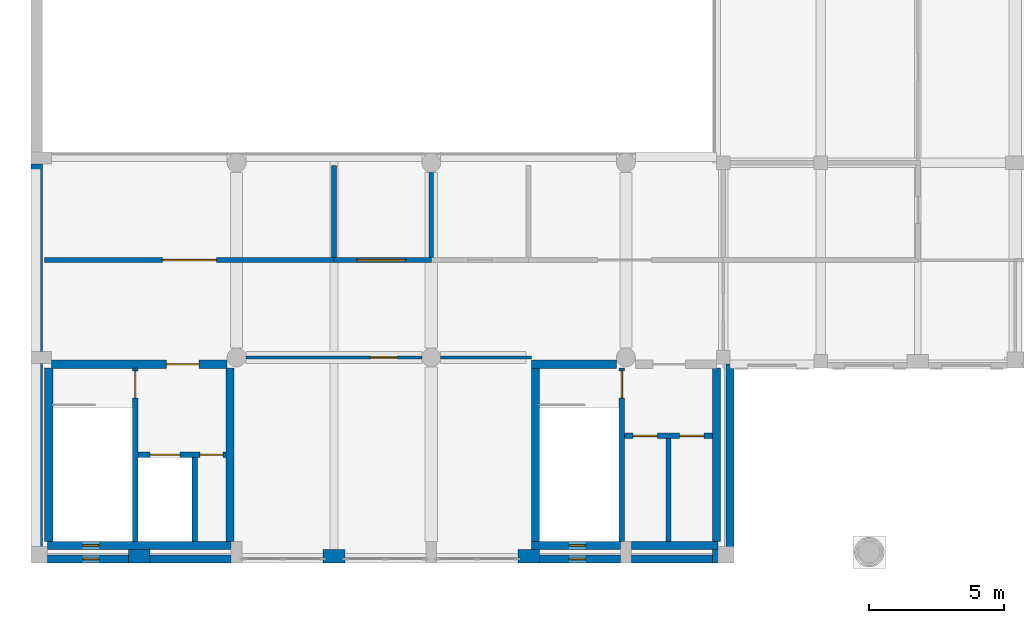
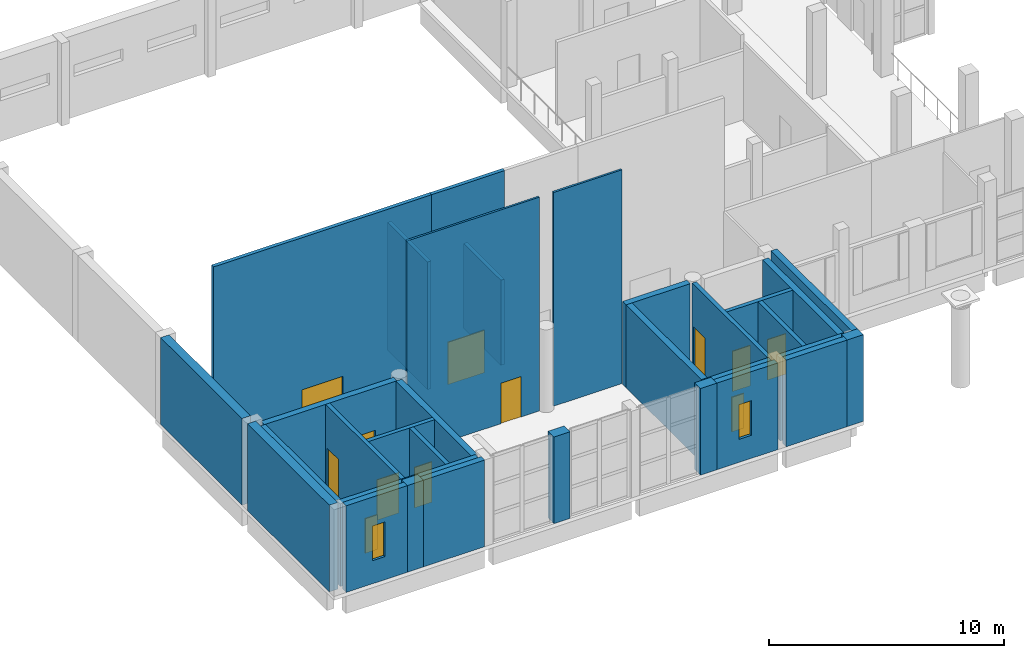
# One storey, part 18 of 59: 32 walls, 10 doors, 4 windows, 14 openings.
"""IFC4 building model written with IfcOpenShell, lengths in metres."""

from ifc_helpers import new_model, si_unit, direction, frame, frame_2d, origin, place, context, subcontext, project, spatial, rectangle, extrude, material, layer, layer_set, type_object, element, fill, save


model = new_model("IFC4")

# Units and contexts
model_context = context("Model", 3, precision=1e-05, world=origin(), true_north=direction((0.0, 1.0)))
body_context = subcontext(model_context, "Body", "Model", "MODEL_VIEW")
ifc_project = project(units=[si_unit("LENGTHUNIT", "METRE"), si_unit("AREAUNIT", "SQUARE_METRE"), si_unit("VOLUMEUNIT", "CUBIC_METRE"), si_unit("PLANEANGLEUNIT", "RADIAN"), si_unit("MASSUNIT", "GRAM", prefix="KILO")], contexts=[model_context])

# Site, building, storey
site_placement = place(None, origin())
site = spatial("IfcSite", under=ifc_project, at=site_placement, CompositionType="ELEMENT")
building_placement = place(site_placement, origin())
building = spatial("IfcBuilding", under=site, at=building_placement, Name="Ussher Court Research Institute", CompositionType="ELEMENT")
storey_placement = place(building_placement, frame((0.0, 0.0, 5.39990234375)))
storey = spatial("IfcBuildingStorey", under=building, at=storey_placement, Name="L01", CompositionType="ELEMENT", Elevation=5.39990234375)

# Wall, opening, door
ifc_material_1 = material(Name="Plasterboard on steel studs with mineral wool", Category="steel")
ifc_layer_1 = layer(ifc_material_1, 0.179931640625)
ifc_layer_set_1 = layer_set([ifc_layer_1], Name="Plasterboard on steel studs with mineral wool")
wall_type_1 = type_object("IfcWallType", Name="Acoustic twin-stud partition 180", PredefinedType="PARTITIONING", material=ifc_layer_set_1)
wall_1_placement = place(storey_placement, frame((13.800048828125, 14.800048828125, 0.0), z_axis=(0.0, 0.0, 1.0), x_axis=(-1.0, 0.0, 0.0)))
wall_1 = element("IfcWall", 1, at=wall_1_placement, inside=storey, type_object=wall_type_1, Name="Partition", PredefinedType="PARTITIONING", context=body_context, shape_type="SweptSolid", body=[
    extrude(rectangle(XDim=10.699951171875, YDim=0.179931640625, at=frame_2d((5.35009765625, 0.0))), origin(), (0.0, 0.0, 1.0), 10.2001953125),
])
opening_1_placement = place(wall_1_placement, frame((4.35009765625, 0.0, 0.0)))
opening_1 = element("IfcOpeningElement", 2, at=opening_1_placement, cuts=wall_1, Name="Opening D01005", PredefinedType="OPENING", context=body_context, shape_type="SweptSolid", body=[
    extrude(rectangle(XDim=2.0, YDim=2.300048828125, at=frame_2d((1.0, 1.14990234375))), frame((0.0, 0.10009765625, 0.0), z_axis=(0.0, -1.0, 0.0), x_axis=(1.0, 0.0, 0.0)), (0.0, 0.0, 1.0), 0.199951171875),
])
ifc_material_2 = material(Name="Veneered timber door", Category="wood")
door_type_1 = type_object("IfcDoorType", Name="Tier access door 2000x2300 double leaf", OperationType="DOUBLE_DOOR_SINGLE_SWING", PredefinedType="DOOR", material=ifc_material_2)
door_1_placement = place(opening_1_placement, origin())
door_1 = element("IfcDoor", 3, at=door_1_placement, inside=storey, type_object=door_type_1, Name="Door D01005", OperationType="SINGLE_SWING_LEFT", OverallHeight=2.300048828125, OverallWidth=2.0, PredefinedType="DOOR", context=body_context, shape_type="SweptSolid", body=[
    extrude(rectangle(XDim=2.0, YDim=2.300048828125, at=frame_2d((1.0, 1.14990234375))), frame((0.0, 0.02490234375, 0.0), z_axis=(0.0, -1.0, 0.0), x_axis=(1.0, 0.0, 0.0)), (0.0, 0.0, 1.0), 0.050048828125),
])
fill(opening_1, door_1)

wall_2_placement = place(storey_placement, frame((13.800048828125, 14.800048828125, 0.0), z_axis=(0.0, 0.0, 1.0), x_axis=(1.0, 0.0, 0.0)))
wall_2 = element("IfcWall", 4, at=wall_2_placement, inside=storey, type_object=wall_type_1, Name="Partition", PredefinedType="PARTITIONING", context=body_context, shape_type="SweptSolid", body=[
    extrude(rectangle(XDim=3.599853515625, YDim=0.179931640625, at=frame_2d((1.7998046875, 0.0))), origin(), (0.0, 0.0, 1.0), 10.2001953125),
])
opening_2_placement = place(wall_2_placement, frame((0.85009765625, 0.0, 0.0)))
opening_2 = element("IfcOpeningElement", 5, at=opening_2_placement, cuts=wall_2, Name="Opening D01009", PredefinedType="OPENING", context=body_context, shape_type="SweptSolid", body=[
    extrude(rectangle(XDim=1.800048828125, YDim=2.199951171875, at=frame_2d((0.89990234375, 1.10009765625))), frame((0.0, 0.10009765625, 0.0), z_axis=(0.0, -1.0, 0.0), x_axis=(1.0, 0.0, 0.0)), (0.0, 0.0, 1.0), 0.199951171875),
])
ifc_material_3 = material(Name="Veneered timber door", Category="wood")
door_type_2 = type_object("IfcDoorType", Name="Lecture theatre door 1800x2200 double leaf", OperationType="DOUBLE_DOOR_SINGLE_SWING", PredefinedType="DOOR", material=ifc_material_3)
door_2_placement = place(opening_2_placement, origin())
door_2 = element("IfcDoor", 6, at=door_2_placement, inside=storey, type_object=door_type_2, Name="Door D01009", OperationType="SINGLE_SWING_LEFT", OverallHeight=2.199951171875, OverallWidth=1.800048828125, PredefinedType="DOOR", context=body_context, shape_type="SweptSolid", body=[
    extrude(rectangle(XDim=1.800048828125, YDim=2.199951171875, at=frame_2d((0.89990234375, 1.10009765625))), frame((0.0, 0.02490234375, 0.0), z_axis=(0.0, -1.0, 0.0), x_axis=(1.0, 0.0, 0.0)), (0.0, 0.0, 1.0), 0.050048828125),
])
fill(opening_2, door_2)

# Walls
wall_3_placement = place(storey_placement, frame((13.800048828125, 14.889892578125, 0.0), z_axis=(0.0, 0.0, 1.0), x_axis=(0.0, 1.0, 0.0)))
element("IfcWall", 7, at=wall_3_placement, inside=storey, type_object=wall_type_1, Name="Partition", PredefinedType="PARTITIONING", context=body_context, shape_type="SweptSolid", body=[
    extrude(rectangle(XDim=3.41015625, YDim=0.179931640625, at=frame_2d((1.705078125, 0.0))), origin(), (0.0, 0.0, 1.0), 6.631103515625),
])
wall_4_placement = place(storey_placement, frame((17.39990234375, 14.889892578125, 0.0), z_axis=(0.0, 0.0, 1.0), x_axis=(0.0, 1.0, 0.0)))
element("IfcWall", 8, at=wall_4_placement, inside=storey, type_object=wall_type_1, Name="Partition", PredefinedType="PARTITIONING", context=body_context, shape_type="SweptSolid", body=[
    extrude(rectangle(XDim=3.16015625, YDim=0.179931640625, at=frame_2d((1.580078125, 0.0))), origin(), (0.0, 0.0, 1.0), 4.42626953125),
])
ifc_material_4 = material(Name="Concrete C35/45", Category="concrete")
ifc_layer_2 = layer(ifc_material_4, 0.419921875)
ifc_layer_set_2 = layer_set([ifc_layer_2], Name="Concrete C35/45")
wall_type_2 = type_object("IfcWallType", Name="Blind west wall 420 reinforced concrete limestone faced", PredefinedType="SOLIDWALL", material=ifc_layer_set_2)
wall_5_placement = place(storey_placement, frame((2.81005859375, 4.0, 0.0), z_axis=(0.0, 0.0, 1.0), x_axis=(0.0, 1.0, 0.0)))
element("IfcWall", 9, at=wall_5_placement, inside=storey, type_object=wall_type_2, Name="RC wall RW2 west", PredefinedType="SOLIDWALL", context=body_context, shape_type="SweptSolid", body=[
    extrude(rectangle(XDim=6.97509765625, YDim=0.419921875, at=frame_2d((3.487548828125, 0.0))), origin(), (0.0, 0.0, 1.0), 4.5),
])
wall_6_placement = place(storey_placement, frame((2.81005859375, 11.425048828125, 0.0), z_axis=(0.0, 0.0, 1.0), x_axis=(0.0, 1.0, 0.0)))
element("IfcWall", 10, at=wall_6_placement, inside=storey, type_object=wall_type_2, Name="RC wall RW2 west", PredefinedType="SOLIDWALL", context=body_context, shape_type="SweptSolid", body=[
    extrude(rectangle(XDim=6.925048828125, YDim=0.419921875, at=frame_2d((3.46240234375, 0.0))), origin(), (0.0, 0.0, 1.0), 4.5),
])
ifc_material_5 = material(Name="Limestone facing on blockwork", Category="masonry")
ifc_layer_3 = layer(ifc_material_5, 0.300048828125)
ifc_layer_set_3 = layer_set([ifc_layer_3], Name="Limestone facing on blockwork")
wall_type_3 = type_object("IfcWallType", Name="External wall 300 stair enclosure", PredefinedType="SOLIDWALL", material=ifc_layer_set_3)
wall_7_placement = place(storey_placement, frame((27.800048828125, 3.75, 0.0), z_axis=(0.0, 0.0, 1.0), x_axis=(-1.0, 0.0, 0.0)))
element("IfcWall", 11, at=wall_7_placement, inside=storey, type_object=wall_type_3, Name="External wall EW5 L01", PredefinedType="SOLIDWALL", context=body_context, shape_type="SweptSolid", body=[
    extrude(rectangle(XDim=3.0, YDim=0.300048828125, at=frame_2d((1.5, 0.0))), origin(), (0.0, 0.0, 1.0), 4.5),
])

# Wall, opening, window
wall_8_placement = place(storey_placement, frame((24.39990234375, 3.75, 0.0), z_axis=(0.0, 0.0, 1.0), x_axis=(-1.0, 0.0, 0.0)))
wall_8 = element("IfcWall", 12, at=wall_8_placement, inside=storey, type_object=wall_type_3, Name="External wall EW5 L01", PredefinedType="SOLIDWALL", context=body_context, shape_type="SweptSolid", body=[
    extrude(rectangle(XDim=3.0, YDim=0.300048828125, at=frame_2d((1.5, 0.0))), origin(), (0.0, 0.0, 1.0), 4.5),
])
opening_3_placement = place(wall_8_placement, frame((1.300048828125, 0.0, 1.199951171875)))
opening_3 = element("IfcOpeningElement", 13, at=opening_3_placement, cuts=wall_8, Name="Opening W25", PredefinedType="OPENING", context=body_context, shape_type="SweptSolid", body=[
    extrude(rectangle(XDim=0.60009765625, YDim=1.800048828125, at=frame_2d((0.300048828125, 0.89990234375))), frame((0.0, 0.16015625, 0.0), z_axis=(0.0, -1.0, 0.0), x_axis=(1.0, 0.0, 0.0)), (0.0, 0.0, 1.0), 0.320068359375),
])
ifc_material_6 = material(Name="Bronze anodised aluminium with double glazing", Category="aluminium")
window_type = type_object("IfcWindowType", Name="Stair light slot window 600x1800 fire-resisting glazing", PartitioningType="SINGLE_PANEL", PredefinedType="WINDOW", material=ifc_material_6)
window_1_placement = place(opening_3_placement, origin())
window_1 = element("IfcWindow", 14, at=window_1_placement, inside=storey, type_object=window_type, Name="Window W25 L01", OverallHeight=1.800048828125, OverallWidth=0.60009765625, PartitioningType="SINGLE_PANEL", PredefinedType="WINDOW", context=body_context, shape_type="SweptSolid", body=[
    extrude(rectangle(XDim=0.60009765625, YDim=1.800048828125, at=frame_2d((0.300048828125, 0.89990234375))), frame((0.0, 0.030029296875, 0.0), z_axis=(0.0, -1.0, 0.0), x_axis=(1.0, 0.0, 0.0)), (0.0, 0.0, 1.0), 0.06005859375),
])
fill(opening_3, window_1)

# Wall
wall_9_placement = place(storey_placement, frame((10.0, 3.75, 0.0), z_axis=(0.0, 0.0, 1.0), x_axis=(-1.0, 0.0, 0.0)))
element("IfcWall", 15, at=wall_9_placement, inside=storey, type_object=wall_type_3, Name="External wall EW5 L01", PredefinedType="SOLIDWALL", context=body_context, shape_type="SweptSolid", body=[
    extrude(rectangle(XDim=3.0, YDim=0.300048828125, at=frame_2d((1.5, 0.0))), origin(), (0.0, 0.0, 1.0), 4.5),
])

# Wall, opening, window
wall_10_placement = place(storey_placement, frame((6.199951171875, 3.75, 0.0), z_axis=(0.0, 0.0, 1.0), x_axis=(-1.0, 0.0, 0.0)))
wall_10 = element("IfcWall", 16, at=wall_10_placement, inside=storey, type_object=wall_type_3, Name="External wall EW5 L01", PredefinedType="SOLIDWALL", context=body_context, shape_type="SweptSolid", body=[
    extrude(rectangle(XDim=3.0, YDim=0.300048828125, at=frame_2d((1.5, 0.0))), origin(), (0.0, 0.0, 1.0), 4.5),
])
opening_4_placement = place(wall_10_placement, frame((1.10009765625, 0.0, 1.199951171875)))
opening_4 = element("IfcOpeningElement", 17, at=opening_4_placement, cuts=wall_10, Name="Opening W25", PredefinedType="OPENING", context=body_context, shape_type="SweptSolid", body=[
    extrude(rectangle(XDim=0.60009765625, YDim=1.800048828125, at=frame_2d((0.300048828125, 0.89990234375))), frame((0.0, 0.16015625, 0.0), z_axis=(0.0, -1.0, 0.0), x_axis=(1.0, 0.0, 0.0)), (0.0, 0.0, 1.0), 0.320068359375),
])
window_2_placement = place(opening_4_placement, origin())
window_2 = element("IfcWindow", 18, at=window_2_placement, inside=storey, type_object=window_type, Name="Window W25 L01", OverallHeight=1.800048828125, OverallWidth=0.60009765625, PartitioningType="SINGLE_PANEL", PredefinedType="WINDOW", context=body_context, shape_type="SweptSolid", body=[
    extrude(rectangle(XDim=0.60009765625, YDim=1.800048828125, at=frame_2d((0.300048828125, 0.89990234375))), frame((0.0, 0.030029296875, 0.0), z_axis=(0.0, -1.0, 0.0), x_axis=(1.0, 0.0, 0.0)), (0.0, 0.0, 1.0), 0.06005859375),
])
fill(opening_4, window_2)

# Wall, opening, door
ifc_material_7 = material(Name="Plastered blockwork", Category="masonry")
ifc_layer_4 = layer(ifc_material_7, 0.10009765625)
ifc_layer_set_4 = layer_set([ifc_layer_4], Name="Plastered blockwork")
wall_type_4 = type_object("IfcWallType", Name="Partition plastered blockwork 100", PredefinedType="PARTITIONING", material=ifc_layer_set_4)
wall_11_placement = place(storey_placement, frame((17.050048828125, 11.199951171875, 0.0), z_axis=(0.0, 0.0, 1.0), x_axis=(-1.0, 0.0, 0.0)))
wall_11 = element("IfcWall", 19, at=wall_11_placement, inside=storey, type_object=wall_type_4, Name="Partition", PredefinedType="PARTITIONING", context=body_context, shape_type="SweptSolid", body=[
    extrude(rectangle(XDim=6.5, YDim=0.10009765625, at=frame_2d((3.25, 0.0))), origin(), (0.0, 0.0, 1.0), 11.10009765625),
])
opening_5_placement = place(wall_11_placement, frame((0.89990234375, 0.0, 0.0)))
opening_5 = element("IfcOpeningElement", 20, at=opening_5_placement, cuts=wall_11, Name="Opening D01011", PredefinedType="OPENING", context=body_context, shape_type="SweptSolid", body=[
    extrude(rectangle(XDim=1.0, YDim=2.10009765625, at=frame_2d((0.5, 1.050048828125))), frame((0.0, 0.06005859375, 0.0), z_axis=(0.0, -1.0, 0.0), x_axis=(1.0, 0.0, 0.0)), (0.0, 0.0, 1.0), 0.1201171875),
])
ifc_material_8 = material(Name="Veneered timber door", Category="wood")
door_type_3 = type_object("IfcDoorType", Name="Lounge door 1000x2100", OperationType="NOTDEFINED", PredefinedType="DOOR", material=ifc_material_8)
door_3_placement = place(opening_5_placement, origin())
door_3 = element("IfcDoor", 21, at=door_3_placement, inside=storey, type_object=door_type_3, Name="Door D01011", OperationType="SINGLE_SWING_LEFT", OverallHeight=2.10009765625, OverallWidth=1.0, PredefinedType="DOOR", context=body_context, shape_type="SweptSolid", body=[
    extrude(rectangle(XDim=1.0, YDim=2.10009765625, at=frame_2d((0.5, 1.050048828125))), frame((0.0, 0.02490234375, 0.0), z_axis=(0.0, -1.0, 0.0), x_axis=(1.0, 0.0, 0.0)), (0.0, 0.0, 1.0), 0.050048828125),
])
fill(opening_5, door_3)

# Walls
wall_12_placement = place(storey_placement, frame((17.75, 11.199951171875, 0.0), z_axis=(0.0, 0.0, 1.0), x_axis=(1.0, 0.0, 0.0)))
element("IfcWall", 22, at=wall_12_placement, inside=storey, type_object=wall_type_4, Name="Partition", PredefinedType="PARTITIONING", context=body_context, shape_type="SweptSolid", body=[
    extrude(rectangle(XDim=3.35009765625, YDim=0.10009765625, at=frame_2d((1.675048828125, 0.0))), origin(), (0.0, 0.0, 1.0), 11.10009765625),
])
ifc_material_9 = material(Name="Rusticated limestone facing on blockwork", Category="masonry")
ifc_layer_5 = layer(ifc_material_9, 0.5)
ifc_layer_set_5 = layer_set([ifc_layer_5], Name="Rusticated limestone facing on blockwork")
wall_type_5 = type_object("IfcWallType", Name="Pier 800x500 rusticated limestone", PredefinedType="SOLIDWALL", material=ifc_layer_set_5)
wall_13_placement = place(storey_placement, frame((28.60009765625, 3.85009765625, 0.0), z_axis=(0.0, 0.0, 1.0), x_axis=(-1.0, 0.0, 0.0)))
element("IfcWall", 23, at=wall_13_placement, inside=storey, type_object=wall_type_5, Name="Pier PR2 L01", PredefinedType="SOLIDWALL", context=body_context, shape_type="SweptSolid", body=[
    extrude(rectangle(XDim=0.800048828125, YDim=0.5, at=frame_2d((0.39990234375, 0.0))), origin(), (0.0, 0.0, 1.0), 4.5),
])
wall_14_placement = place(storey_placement, frame((21.39990234375, 3.85009765625, 0.0), z_axis=(0.0, 0.0, 1.0), x_axis=(-1.0, 0.0, 0.0)))
element("IfcWall", 24, at=wall_14_placement, inside=storey, type_object=wall_type_5, Name="Pier PR2 L01", PredefinedType="SOLIDWALL", context=body_context, shape_type="SweptSolid", body=[
    extrude(rectangle(XDim=0.7998046875, YDim=0.5, at=frame_2d((0.39990234375, 0.0))), origin(), (0.0, 0.0, 1.0), 4.5),
])
for number, where, z_axis, x_axis, name in (
    (25, (14.199951171875, 3.85009765625, 0.0), (0.0, 0.0, 1.0), (-1.0, 0.0, 0.0), "Pier PR2 L01"),
    (26, (7.0, 3.85009765625, 0.0), (0.0, 0.0, 1.0), (-1.0, 0.0, 0.0), "Pier PR2 L01"),
):
    element("IfcWall", number, at=place(storey_placement, frame(where, z_axis=z_axis, x_axis=x_axis)), inside=storey, type_object=wall_type_5, Name=name, PredefinedType="SOLIDWALL", context=body_context, shape_type="SweptSolid", body=[
        extrude(rectangle(XDim=0.800048828125, YDim=0.5, at=frame_2d((0.39990234375, 0.0))), origin(), (0.0, 0.0, 1.0), 4.5),
    ])

# Wall, opening, door
ifc_material_10 = material(Name="Concrete C35/45", Category="concrete")
ifc_layer_6 = layer(ifc_material_10, 0.199951171875)
ifc_layer_set_6 = layer_set([ifc_layer_6], Name="Concrete C35/45")
wall_type_6 = type_object("IfcWallType", Name="RC core wall 200", PredefinedType="SHEAR", material=ifc_layer_set_6)
wall_15_placement = place(storey_placement, frame((6.449951171875, 4.39990234375, 0.0), z_axis=(0.0, 0.0, 1.0), x_axis=(0.0, 1.0, 0.0)))
wall_15 = element("IfcWall", 27, at=wall_15_placement, inside=storey, type_object=wall_type_6, Name="Core wall H1", PredefinedType="SHEAR", context=body_context, shape_type="SweptSolid", body=[
    extrude(rectangle(XDim=6.400146484375, YDim=0.199951171875, at=frame_2d((3.2001953125, 0.0))), origin(), (0.0, 0.0, 1.0), 4.300048828125),
])
opening_6_placement = place(wall_15_placement, frame((5.300048828125, 0.0, 0.0)))
opening_6 = element("IfcOpeningElement", 28, at=opening_6_placement, cuts=wall_15, Name="Opening D01001", PredefinedType="OPENING", context=body_context, shape_type="SweptSolid", body=[
    extrude(rectangle(XDim=1.0, YDim=2.10009765625, at=frame_2d((0.5, 1.050048828125))), frame((0.0, 0.10986328125, 0.0), z_axis=(0.0, -1.0, 0.0), x_axis=(1.0, 0.0, 0.0)), (0.0, 0.0, 1.0), 0.219970703125),
])
ifc_material_11 = material(Name="Painted steel faced fire door", Category="steel")
door_type_4 = type_object("IfcDoorType", Name="Fire door 1000x2100 FD60", OperationType="NOTDEFINED", PredefinedType="DOOR", material=ifc_material_11)
door_4_placement = place(opening_6_placement, origin())
door_4 = element("IfcDoor", 29, at=door_4_placement, inside=storey, type_object=door_type_4, Name="Door D01001", OperationType="SINGLE_SWING_RIGHT", OverallHeight=2.10009765625, OverallWidth=1.0, PredefinedType="DOOR", context=body_context, shape_type="SweptSolid", body=[
    extrude(rectangle(XDim=1.0, YDim=2.10009765625, at=frame_2d((0.5, 1.050048828125))), frame((0.0, 0.02490234375, 0.0), z_axis=(0.0, -1.0, 0.0), x_axis=(1.0, 0.0, 0.0)), (0.0, 0.0, 1.0), 0.050048828125),
])
fill(opening_6, door_4)

# Wall, openings, doors
wall_16_placement = place(storey_placement, frame((6.550048828125, 7.60009765625, 0.0), z_axis=(0.0, 0.0, 1.0), x_axis=(1.0, 0.0, 0.0)))
wall_16 = element("IfcWall", 30, at=wall_16_placement, inside=storey, type_object=wall_type_6, Name="Core wall H1", PredefinedType="SHEAR", context=body_context, shape_type="SweptSolid", body=[
    extrude(rectangle(XDim=3.25, YDim=0.199951171875, at=frame_2d((1.625, 0.0))), origin(), (0.0, 0.0, 1.0), 4.300048828125),
])
opening_7_placement = place(wall_16_placement, frame((0.449951171875, 0.0, 0.0)))
opening_7 = element("IfcOpeningElement", 31, at=opening_7_placement, cuts=wall_16, Name="Opening LD14", PredefinedType="OPENING", context=body_context, shape_type="SweptSolid", body=[
    extrude(rectangle(XDim=1.10009765625, YDim=2.10009765625, at=frame_2d((0.550048828125, 1.050048828125))), frame((0.0, 0.10986328125, 0.0), z_axis=(0.0, -1.0, 0.0), x_axis=(1.0, 0.0, 0.0)), (0.0, 0.0, 1.0), 0.219970703125),
])
opening_8_placement = place(wall_16_placement, frame((2.300048828125, 0.0, 0.0)))
opening_8 = element("IfcOpeningElement", 32, at=opening_8_placement, cuts=wall_16, Name="Opening D01006", PredefinedType="OPENING", context=body_context, shape_type="SweptSolid", body=[
    extrude(rectangle(XDim=0.85009765625, YDim=2.10009765625, at=frame_2d((0.425048828125, 1.050048828125))), frame((0.0, 0.10986328125, 0.0), z_axis=(0.0, -1.0, 0.0), x_axis=(1.0, 0.0, 0.0)), (0.0, 0.0, 1.0), 0.219970703125),
])
ifc_material_12 = material(Name="Painted steel faced fire door", Category="steel")
door_type_5 = type_object("IfcDoorType", Name="Fire door 850x2100 FD60", OperationType="NOTDEFINED", PredefinedType="DOOR", material=ifc_material_12)
door_5_placement = place(opening_8_placement, origin())
door_5 = element("IfcDoor", 33, at=door_5_placement, inside=storey, type_object=door_type_5, Name="Door D01006", OperationType="SINGLE_SWING_RIGHT", OverallHeight=2.10009765625, OverallWidth=0.85009765625, PredefinedType="DOOR", context=body_context, shape_type="SweptSolid", body=[
    extrude(rectangle(XDim=0.85009765625, YDim=2.10009765625, at=frame_2d((0.425048828125, 1.050048828125))), frame((0.0, 0.02490234375, 0.0), z_axis=(0.0, -1.0, 0.0), x_axis=(1.0, 0.0, 0.0)), (0.0, 0.0, 1.0), 0.050048828125),
])
fill(opening_8, door_5)
ifc_material_13 = material(Name="Stainless steel lift door", Category="steel")
door_type_6 = type_object("IfcDoorType", Name="Lift landing door 1100x2100 sliding", OperationType="DOUBLE_DOOR_SLIDING", PredefinedType="DOOR", material=ifc_material_13)
door_6_placement = place(opening_7_placement, origin())
door_6 = element("IfcDoor", 34, at=door_6_placement, inside=storey, type_object=door_type_6, Name="Landing door H1-1 L01", OperationType="DOUBLE_DOOR_SLIDING", OverallHeight=2.10009765625, OverallWidth=1.10009765625, PredefinedType="DOOR", context=body_context, shape_type="SweptSolid", body=[
    extrude(rectangle(XDim=1.10009765625, YDim=2.10009765625, at=frame_2d((0.550048828125, 1.050048828125))), frame((0.0, 0.02490234375, 0.0), z_axis=(0.0, -1.0, 0.0), x_axis=(1.0, 0.0, 0.0)), (0.0, 0.0, 1.0), 0.050048828125),
])
fill(opening_7, door_6)

# Wall
wall_17_placement = place(storey_placement, frame((8.64990234375, 4.39990234375, 0.0), z_axis=(0.0, 0.0, 1.0), x_axis=(0.0, 1.0, 0.0)))
element("IfcWall", 35, at=wall_17_placement, inside=storey, type_object=wall_type_6, Name="Core wall H1", PredefinedType="SHEAR", context=body_context, shape_type="SweptSolid", body=[
    extrude(rectangle(XDim=3.10009765625, YDim=0.199951171875, at=frame_2d((1.550048828125, 0.0))), origin(), (0.0, 0.0, 1.0), 4.300048828125),
])

# Wall, opening, door
wall_18_placement = place(storey_placement, frame((24.449951171875, 4.39990234375, 0.0), z_axis=(0.0, 0.0, 1.0), x_axis=(0.0, 1.0, 0.0)))
wall_18 = element("IfcWall", 36, at=wall_18_placement, inside=storey, type_object=wall_type_6, Name="Core wall H2", PredefinedType="SHEAR", context=body_context, shape_type="SweptSolid", body=[
    extrude(rectangle(XDim=6.400146484375, YDim=0.199951171875, at=frame_2d((3.2001953125, 0.0))), origin(), (0.0, 0.0, 1.0), 4.300048828125),
])
opening_9_placement = place(wall_18_placement, frame((5.300048828125, 0.0, 0.0)))
opening_9 = element("IfcOpeningElement", 37, at=opening_9_placement, cuts=wall_18, Name="Opening D01014", PredefinedType="OPENING", context=body_context, shape_type="SweptSolid", body=[
    extrude(rectangle(XDim=1.0, YDim=2.10009765625, at=frame_2d((0.5, 1.050048828125))), frame((0.0, 0.10986328125, 0.0), z_axis=(0.0, -1.0, 0.0), x_axis=(1.0, 0.0, 0.0)), (0.0, 0.0, 1.0), 0.219970703125),
])
door_7_placement = place(opening_9_placement, origin())
door_7 = element("IfcDoor", 38, at=door_7_placement, inside=storey, type_object=door_type_4, Name="Door D01014", OperationType="SINGLE_SWING_RIGHT", OverallHeight=2.10009765625, OverallWidth=1.0, PredefinedType="DOOR", context=body_context, shape_type="SweptSolid", body=[
    extrude(rectangle(XDim=1.0, YDim=2.10009765625, at=frame_2d((0.5, 1.050048828125))), frame((0.0, 0.02490234375, 0.0), z_axis=(0.0, -1.0, 0.0), x_axis=(1.0, 0.0, 0.0)), (0.0, 0.0, 1.0), 0.050048828125),
])
fill(opening_9, door_7)

# Wall, openings, doors
wall_19_placement = place(storey_placement, frame((24.550048828125, 8.300048828125, 0.0), z_axis=(0.0, 0.0, 1.0), x_axis=(1.0, 0.0, 0.0)))
wall_19 = element("IfcWall", 39, at=wall_19_placement, inside=storey, type_object=wall_type_6, Name="Core wall H2", PredefinedType="SHEAR", context=body_context, shape_type="SweptSolid", body=[
    extrude(rectangle(XDim=3.25, YDim=0.199951171875, at=frame_2d((1.625, 0.0))), origin(), (0.0, 0.0, 1.0), 4.300048828125),
])
opening_10_placement = place(wall_19_placement, frame((0.3125, 0.0, 0.0)))
opening_10 = element("IfcOpeningElement", 40, at=opening_10_placement, cuts=wall_19, Name="Opening D01017", PredefinedType="OPENING", context=body_context, shape_type="SweptSolid", body=[
    extrude(rectangle(XDim=0.89990234375, YDim=2.10009765625, at=frame_2d((0.449951171875, 1.050048828125))), frame((0.0, 0.10986328125, 0.0), z_axis=(0.0, -1.0, 0.0), x_axis=(1.0, 0.0, 0.0)), (0.0, 0.0, 1.0), 0.219970703125),
])
opening_11_placement = place(wall_19_placement, frame((2.03759765625, 0.0, 0.0)))
opening_11 = element("IfcOpeningElement", 41, at=opening_11_placement, cuts=wall_19, Name="Opening D01019", PredefinedType="OPENING", context=body_context, shape_type="SweptSolid", body=[
    extrude(rectangle(XDim=0.89990234375, YDim=2.10009765625, at=frame_2d((0.449951171875, 1.050048828125))), frame((0.0, 0.10986328125, 0.0), z_axis=(0.0, -1.0, 0.0), x_axis=(1.0, 0.0, 0.0)), (0.0, 0.0, 1.0), 0.219970703125),
])
ifc_material_14 = material(Name="Painted steel faced fire door", Category="steel")
door_type_7 = type_object("IfcDoorType", Name="Fire door 900x2100 FD60", OperationType="NOTDEFINED", PredefinedType="DOOR", material=ifc_material_14)
door_8_placement = place(opening_10_placement, origin())
door_8 = element("IfcDoor", 42, at=door_8_placement, inside=storey, type_object=door_type_7, Name="Door D01017", OperationType="SINGLE_SWING_LEFT", OverallHeight=2.10009765625, OverallWidth=0.89990234375, PredefinedType="DOOR", context=body_context, shape_type="SweptSolid", body=[
    extrude(rectangle(XDim=0.89990234375, YDim=2.10009765625, at=frame_2d((0.449951171875, 1.050048828125))), frame((0.0, 0.02490234375, 0.0), z_axis=(0.0, -1.0, 0.0), x_axis=(1.0, 0.0, 0.0)), (0.0, 0.0, 1.0), 0.050048828125),
])
fill(opening_10, door_8)
door_9_placement = place(opening_11_placement, origin())
door_9 = element("IfcDoor", 43, at=door_9_placement, inside=storey, type_object=door_type_7, Name="Door D01019", OperationType="SINGLE_SWING_RIGHT", OverallHeight=2.10009765625, OverallWidth=0.89990234375, PredefinedType="DOOR", context=body_context, shape_type="SweptSolid", body=[
    extrude(rectangle(XDim=0.89990234375, YDim=2.10009765625, at=frame_2d((0.449951171875, 1.050048828125))), frame((0.0, 0.02490234375, 0.0), z_axis=(0.0, -1.0, 0.0), x_axis=(1.0, 0.0, 0.0)), (0.0, 0.0, 1.0), 0.050048828125),
])
fill(opening_11, door_9)

# Wall
wall_20_placement = place(storey_placement, frame((26.175048828125, 4.39990234375, 0.0), z_axis=(0.0, 0.0, 1.0), x_axis=(0.0, 1.0, 0.0)))
element("IfcWall", 44, at=wall_20_placement, inside=storey, type_object=wall_type_6, Name="Core wall H2", PredefinedType="SHEAR", context=body_context, shape_type="SweptSolid", body=[
    extrude(rectangle(XDim=3.800048828125, YDim=0.199951171875, at=frame_2d((1.89990234375, 0.0))), origin(), (0.0, 0.0, 1.0), 4.300048828125),
])

# Wall, opening, door
ifc_material_15 = material(Name="Concrete C35/45", Category="concrete")
ifc_layer_7 = layer(ifc_material_15, 0.300048828125)
ifc_layer_set_7 = layer_set([ifc_layer_7], Name="Concrete C35/45")
wall_type_7 = type_object("IfcWallType", Name="RC core wall 300", PredefinedType="SHEAR", material=ifc_layer_set_7)
wall_21_placement = place(storey_placement, frame((9.85009765625, 10.949951171875, 0.0), z_axis=(0.0, 0.0, 1.0), x_axis=(-1.0, 0.0, 0.0)))
wall_21 = element("IfcWall", 45, at=wall_21_placement, inside=storey, type_object=wall_type_7, Name="Core wall H1", PredefinedType="SHEAR", context=body_context, shape_type="SweptSolid", body=[
    extrude(rectangle(XDim=6.5, YDim=0.300048828125, at=frame_2d((3.25, 0.0))), origin(), (0.0, 0.0, 1.0), 4.300048828125),
])
opening_12_placement = place(wall_21_placement, frame((1.050048828125, 0.0, 0.0)))
opening_12 = element("IfcOpeningElement", 46, at=opening_12_placement, cuts=wall_21, Name="Opening D01003", PredefinedType="OPENING", context=body_context, shape_type="SweptSolid", body=[
    extrude(rectangle(XDim=1.199951171875, YDim=2.10009765625, at=frame_2d((0.60009765625, 1.050048828125))), frame((0.0, 0.16015625, 0.0), z_axis=(0.0, -1.0, 0.0), x_axis=(1.0, 0.0, 0.0)), (0.0, 0.0, 1.0), 0.320068359375),
])
ifc_material_16 = material(Name="Painted steel faced fire door", Category="steel")
door_type_8 = type_object("IfcDoorType", Name="Fire door 1200x2100 FD60", OperationType="NOTDEFINED", PredefinedType="DOOR", material=ifc_material_16)
door_10_placement = place(opening_12_placement, origin())
door_10 = element("IfcDoor", 47, at=door_10_placement, inside=storey, type_object=door_type_8, Name="Door D01003", OperationType="SINGLE_SWING_LEFT", OverallHeight=2.10009765625, OverallWidth=1.199951171875, PredefinedType="DOOR", context=body_context, shape_type="SweptSolid", body=[
    extrude(rectangle(XDim=1.199951171875, YDim=2.10009765625, at=frame_2d((0.60009765625, 1.050048828125))), frame((0.0, 0.02490234375, 0.0), z_axis=(0.0, -1.0, 0.0), x_axis=(1.0, 0.0, 0.0)), (0.0, 0.0, 1.0), 0.050048828125),
])
fill(opening_12, door_10)

# Wall, opening, window
wall_22_placement = place(storey_placement, frame((3.199951171875, 4.25, 0.0), z_axis=(0.0, 0.0, 1.0), x_axis=(1.0, 0.0, 0.0)))
wall_22 = element("IfcWall", 48, at=wall_22_placement, inside=storey, type_object=wall_type_7, Name="Core wall H1", PredefinedType="SHEAR", context=body_context, shape_type="SweptSolid", body=[
    extrude(rectangle(XDim=6.800048828125, YDim=0.300048828125, at=frame_2d((3.39990234375, 0.0))), origin(), (0.0, 0.0, 1.0), 4.300048828125),
])
opening_13_placement = place(wall_22_placement, frame((1.300048828125, 0.0, 1.199951171875)))
opening_13 = element("IfcOpeningElement", 49, at=opening_13_placement, cuts=wall_22, Name="Opening W25", PredefinedType="OPENING", context=body_context, shape_type="SweptSolid", body=[
    extrude(rectangle(XDim=0.60009765625, YDim=1.800048828125, at=frame_2d((0.300048828125, 0.89990234375))), frame((0.0, 0.16015625, 0.0), z_axis=(0.0, -1.0, 0.0), x_axis=(1.0, 0.0, 0.0)), (0.0, 0.0, 1.0), 0.320068359375),
])
window_3_placement = place(opening_13_placement, origin())
window_3 = element("IfcWindow", 50, at=window_3_placement, inside=storey, type_object=window_type, Name="Window stair light H1 L01", OverallHeight=1.800048828125, OverallWidth=0.60009765625, PartitioningType="SINGLE_PANEL", PredefinedType="WINDOW", context=body_context, shape_type="SweptSolid", body=[
    extrude(rectangle(XDim=0.60009765625, YDim=1.800048828125, at=frame_2d((0.300048828125, 0.89990234375))), frame((0.0, 0.030029296875, 0.0), z_axis=(0.0, -1.0, 0.0), x_axis=(1.0, 0.0, 0.0)), (0.0, 0.0, 1.0), 0.06005859375),
])
fill(opening_13, window_3)

# Walls
for number, where, z_axis, x_axis, name in (
    (51, (3.25, 4.39990234375, 0.0), (0.0, 0.0, 1.0), (0.0, 1.0, 0.0), "Core wall H1"),
    (52, (9.949951171875, 4.39990234375, 0.0), (0.0, 0.0, 1.0), (0.0, 1.0, 0.0), "Core wall H1"),
):
    element("IfcWall", number, at=place(storey_placement, frame(where, z_axis=z_axis, x_axis=x_axis)), inside=storey, type_object=wall_type_7, Name=name, PredefinedType="SHEAR", context=body_context, shape_type="SweptSolid", body=[
        extrude(rectangle(XDim=6.400146484375, YDim=0.300048828125, at=frame_2d((3.2001953125, 0.0))), origin(), (0.0, 0.0, 1.0), 4.300048828125),
    ])
wall_23_placement = place(storey_placement, frame((24.25, 10.949951171875, 0.0), z_axis=(0.0, 0.0, 1.0), x_axis=(-1.0, 0.0, 0.0)))
element("IfcWall", 53, at=wall_23_placement, inside=storey, type_object=wall_type_7, Name="Core wall H2", PredefinedType="SHEAR", context=body_context, shape_type="SweptSolid", body=[
    extrude(rectangle(XDim=3.14990234375, YDim=0.300048828125, at=frame_2d((1.574951171875, 0.0))), origin(), (0.0, 0.0, 1.0), 4.300048828125),
])

# Wall, opening, window
wall_24_placement = place(storey_placement, frame((21.10009765625, 4.25, 0.0), z_axis=(0.0, 0.0, 1.0), x_axis=(1.0, 0.0, 0.0)))
wall_24 = element("IfcWall", 54, at=wall_24_placement, inside=storey, type_object=wall_type_7, Name="Core wall H2", PredefinedType="SHEAR", context=body_context, shape_type="SweptSolid", body=[
    extrude(rectangle(XDim=3.2998046875, YDim=0.300048828125, at=frame_2d((1.64990234375, 0.0))), origin(), (0.0, 0.0, 1.0), 4.300048828125),
])
opening_14_placement = place(wall_24_placement, frame((1.39990234375, 0.0, 1.199951171875)))
opening_14 = element("IfcOpeningElement", 55, at=opening_14_placement, cuts=wall_24, Name="Opening W25", PredefinedType="OPENING", context=body_context, shape_type="SweptSolid", body=[
    extrude(rectangle(XDim=0.60009765625, YDim=1.800048828125, at=frame_2d((0.300048828125, 0.89990234375))), frame((0.0, 0.16015625, 0.0), z_axis=(0.0, -1.0, 0.0), x_axis=(1.0, 0.0, 0.0)), (0.0, 0.0, 1.0), 0.320068359375),
])
window_4_placement = place(opening_14_placement, origin())
window_4 = element("IfcWindow", 56, at=window_4_placement, inside=storey, type_object=window_type, Name="Window stair light H2 L01", OverallHeight=1.800048828125, OverallWidth=0.60009765625, PartitioningType="SINGLE_PANEL", PredefinedType="WINDOW", context=body_context, shape_type="SweptSolid", body=[
    extrude(rectangle(XDim=0.60009765625, YDim=1.800048828125, at=frame_2d((0.300048828125, 0.89990234375))), frame((0.0, 0.030029296875, 0.0), z_axis=(0.0, -1.0, 0.0), x_axis=(1.0, 0.0, 0.0)), (0.0, 0.0, 1.0), 0.06005859375),
])
fill(opening_14, window_4)

# Walls
wall_25_placement = place(storey_placement, frame((24.800048828125, 4.25, 0.0), z_axis=(0.0, 0.0, 1.0), x_axis=(1.0, 0.0, 0.0)))
element("IfcWall", 57, at=wall_25_placement, inside=storey, type_object=wall_type_7, Name="Core wall H2", PredefinedType="SHEAR", context=body_context, shape_type="SweptSolid", body=[
    extrude(rectangle(XDim=3.199951171875, YDim=0.300048828125, at=frame_2d((1.60009765625, 0.0))), origin(), (0.0, 0.0, 1.0), 4.300048828125),
])
for number, where, z_axis, x_axis, name in (
    (58, (21.25, 4.39990234375, 0.0), (0.0, 0.0, 1.0), (0.0, 1.0, 0.0), "Core wall H2"),
    (59, (27.949951171875, 4.39990234375, 0.0), (0.0, 0.0, 1.0), (0.0, 1.0, 0.0), "Core wall H2"),
):
    element("IfcWall", number, at=place(storey_placement, frame(where, z_axis=z_axis, x_axis=x_axis)), inside=storey, type_object=wall_type_7, Name=name, PredefinedType="SHEAR", context=body_context, shape_type="SweptSolid", body=[
        extrude(rectangle(XDim=6.400146484375, YDim=0.300048828125, at=frame_2d((3.2001953125, 0.0))), origin(), (0.0, 0.0, 1.0), 4.300048828125),
    ])
ifc_material_17 = material(Name="Concrete C35/45", Category="concrete")
ifc_layer_8 = layer(ifc_material_17, 0.300048828125)
ifc_layer_set_8 = layer_set([ifc_layer_8], Name="Concrete C35/45")
wall_type_8 = type_object("IfcWallType", Name="RC wall 300 limestone faced", PredefinedType="SOLIDWALL", material=ifc_layer_set_8)
wall_26_placement = place(storey_placement, frame((28.449951171875, 10.949951171875, 0.0), z_axis=(0.0, 0.0, 1.0), x_axis=(0.0, -1.0, 0.0)))
element("IfcWall", 60, at=wall_26_placement, inside=storey, type_object=wall_type_8, Name="RC wall RW1 east", PredefinedType="SOLIDWALL", context=body_context, shape_type="SweptSolid", body=[
    extrude(rectangle(XDim=6.949951171875, YDim=0.300048828125, at=frame_2d((3.47509765625, 0.0))), origin(), (0.0, 0.0, 1.0), 4.5),
])

save(model, "model.ifc")
